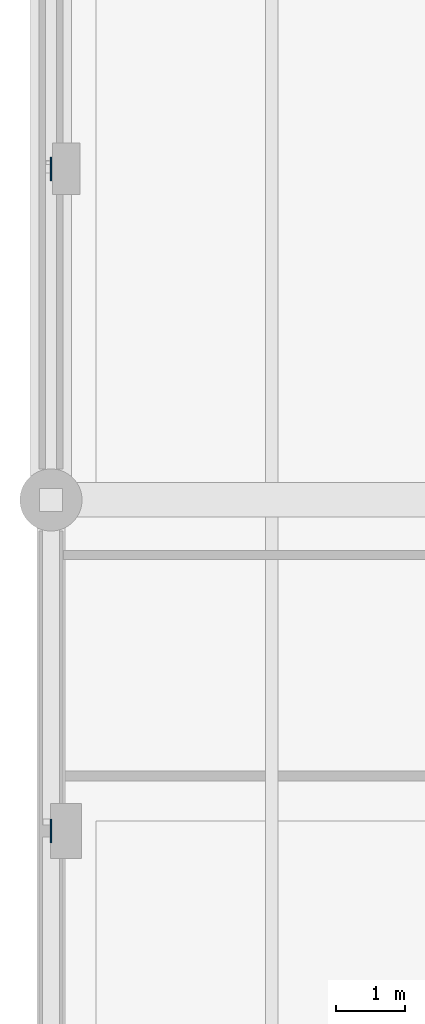
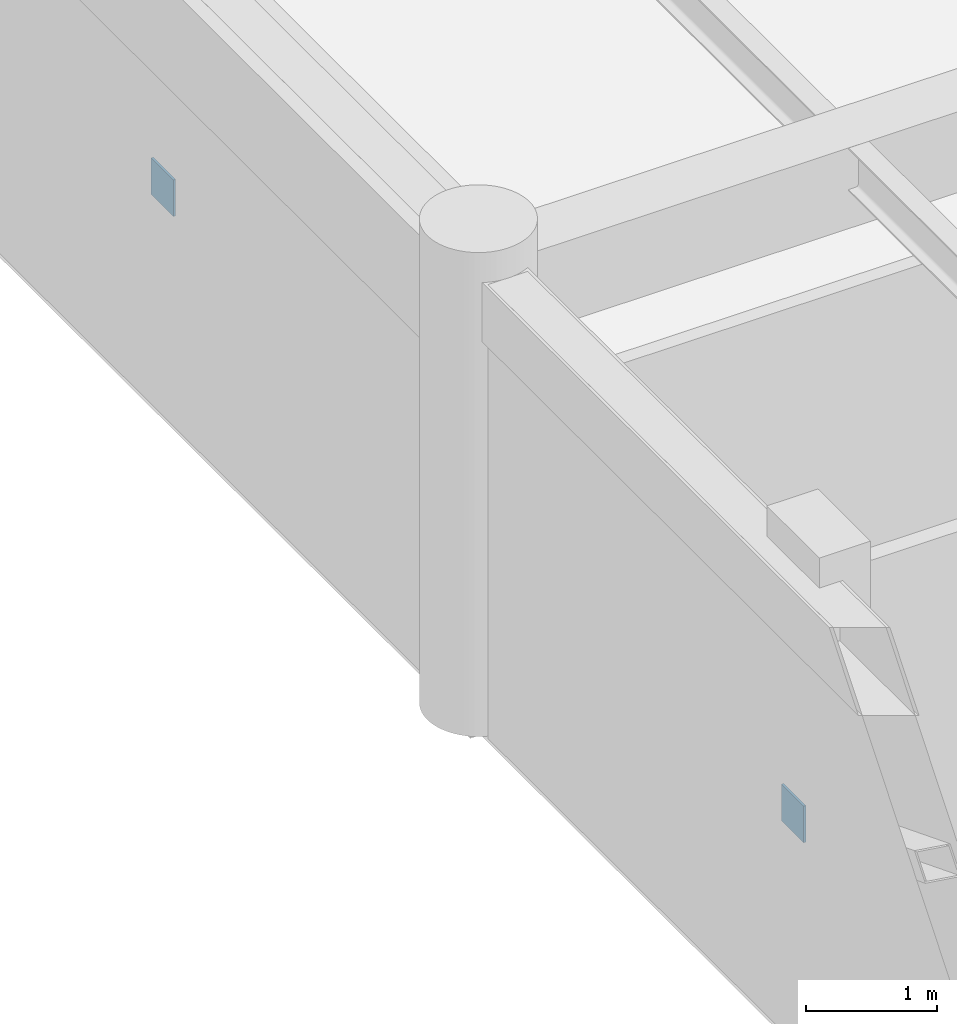
# One storey, part 59 of 80: 2 plates.
"""IFC4 building model written with IfcOpenShell, lengths in metres."""

from ifc_helpers import new_model, si_unit, direction, frame, origin, origin_2d, place, context, subcontext, project, spatial, rectangle, extrude, material, layer, layer_set, type_object, element, save


model = new_model("IFC4")

# Units and contexts
model_context = context("Model", 3, precision=1e-05, world=origin(), true_north=direction((0.0, 1.0)))
body_context = subcontext(model_context, "Body", "Model", "MODEL_VIEW")
ifc_project = project(units=[si_unit("LENGTHUNIT", "METRE"), si_unit("AREAUNIT", "SQUARE_METRE"), si_unit("VOLUMEUNIT", "CUBIC_METRE"), si_unit("PLANEANGLEUNIT", "RADIAN"), si_unit("MASSUNIT", "GRAM", prefix="KILO")], contexts=[model_context])

# Site, building, storey
site_placement = place(None, origin())
site = spatial("IfcSite", under=ifc_project, at=site_placement, CompositionType="ELEMENT")
building_placement = place(site_placement, origin())
building = spatial("IfcBuilding", under=site, at=building_placement, Name="Fikremerkos Civic Library", CompositionType="ELEMENT")
storey_placement = place(building_placement, frame((0.0, 0.0, 9.89990234375)))
storey = spatial("IfcBuildingStorey", under=building, at=storey_placement, Name="L02", CompositionType="ELEMENT", Elevation=9.89990234375)

# Plates
ifc_material = material(Name="Steel S355", Category="steel")
ifc_layer = layer(ifc_material, 0.02001953125, Name="Steel S355")
ifc_layer_set = layer_set([ifc_layer], Name="Steel S355")
plate_type = type_object("IfcPlateType", Name="Steel gusset cap plate GSP-03 340x340x20", PredefinedType="USERDEFINED", material=ifc_layer_set)
for number, where, z_axis, x_axis, name in (
    (1, (0.0, 16.800048828125, 1.71484375), (0.0, 0.0, 1.0), (1.0, 0.0, 0.0), "Steel gusset cap plate GSP-03 #64"),
    (2, (0.0, 26.39990234375, 1.71484375), (0.0, 0.0, 1.0), (1.0, 0.0, 0.0), "Steel gusset cap plate GSP-03 #65"),
):
    element("IfcPlate", number, at=place(storey_placement, frame(where, z_axis=z_axis, x_axis=x_axis)), inside=storey, type_object=plate_type, Name=name, ObjectType="GUSSET PLATE", PredefinedType="USERDEFINED", context=body_context, shape_type="SweptSolid", body=[
        extrude(rectangle(XDim=0.02001953125, YDim=0.340087890625, at=origin_2d()), origin(), (0.0, 0.0, 1.0), 0.340087890625),
    ])

save(model, "model.ifc")
